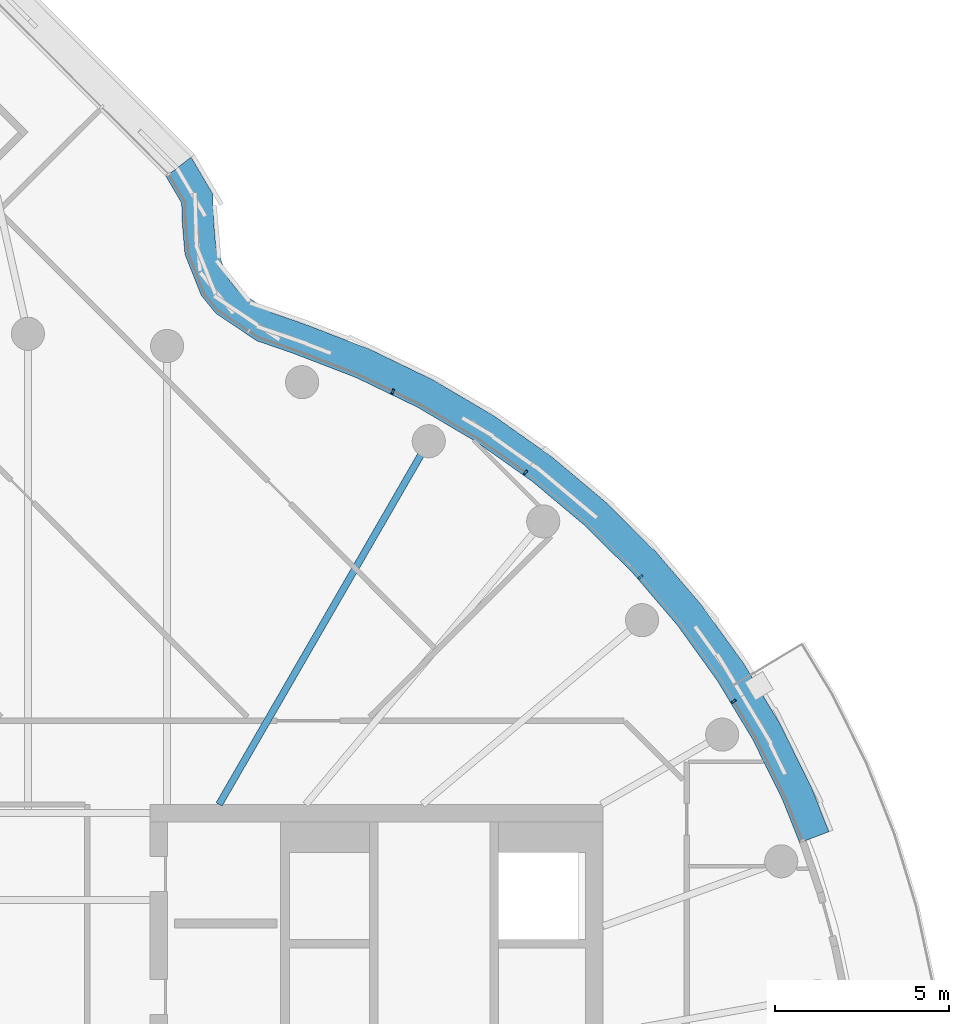
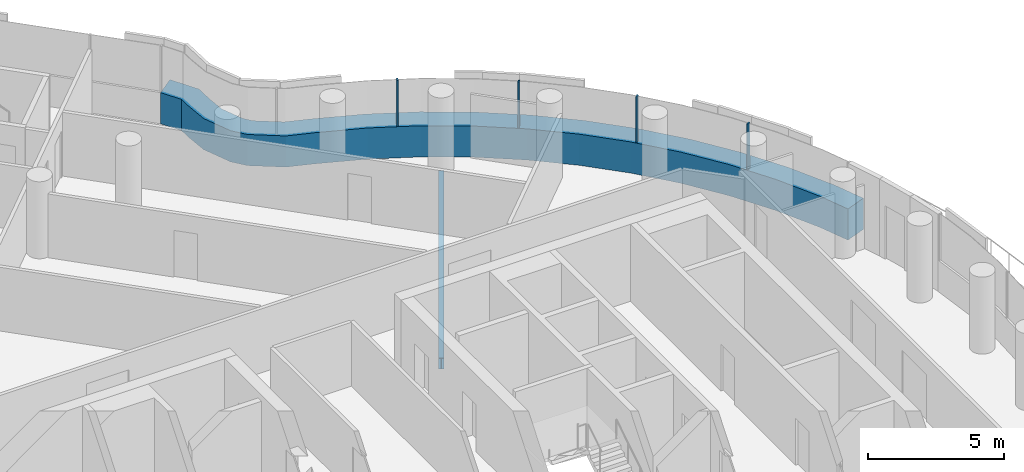
# One storey, part 12 of 31: 5 members, 1 beam, 1 element without a shape of its own.
"""IFC4 building model written with IfcOpenShell, lengths in metres."""

from ifc_helpers import new_model, si_unit, direction, frame, origin, origin_2d, place, context, subcontext, project, spatial, polyline, rectangle, i_section, outline, extrude, material, layer, layer_set, material_profile, profile_set, type_object, element, aggregate, save


model = new_model("IFC4")

# Units and contexts
model_context = context("Model", 3, precision=1e-05, world=origin(), true_north=direction((0.0, 1.0)))
body_context = subcontext(model_context, "Body", "Model", "MODEL_VIEW")
ifc_project = project(units=[si_unit("LENGTHUNIT", "METRE"), si_unit("AREAUNIT", "SQUARE_METRE"), si_unit("VOLUMEUNIT", "CUBIC_METRE"), si_unit("PLANEANGLEUNIT", "RADIAN"), si_unit("MASSUNIT", "GRAM", prefix="KILO")], contexts=[model_context])

# Site, building, storey
site_placement = place(None, origin())
site = spatial("IfcSite", under=ifc_project, at=site_placement, CompositionType="ELEMENT")
building_placement = place(site_placement, origin())
building = spatial("IfcBuilding", under=site, at=building_placement, Name="Tamarind Cross Interchange Tower", CompositionType="ELEMENT")
storey_placement = place(building_placement, frame((0.0, 0.0, 196.89990234375)))
storey = spatial("IfcBuildingStorey", under=building, at=storey_placement, Name="L49", CompositionType="ELEMENT", Elevation=196.89990234375)

# Beam
ifc_material_1 = material(Name="Steel Q355B", Category="steel")
ifc_material_profile_1 = material_profile(ifc_material_1, i_section(OverallWidth=0.198974609375, OverallDepth=0.49609375, WebThickness=0.009033203125, FlangeThickness=0.013916015625, FilletRadius=0.012939453125, at=origin_2d()), Name="HN 496x199x9x14")
ifc_profile_set_1 = profile_set([ifc_material_profile_1], Name="Steel Q355B")
beam_type = type_object("IfcBeamType", Name="Composite beam HN 496x199x9x14 Q355B", PredefinedType="BEAM", material=ifc_profile_set_1)
beam_placement = place(storey_placement, frame((11.5, 19.918701171875, -0.387939453125), z_axis=(-0.499993565836, -0.866029118519, 0.0), x_axis=(0.866029118519, -0.499993565836, 0.0)))
element("IfcBeam", 1, at=beam_placement, inside=storey, type_object=beam_type, Name="Beam HH06", PredefinedType="BEAM", context=body_context, shape_type="SweptSolid", body=[
    extrude(i_section(OverallWidth=0.198974609375, OverallDepth=0.49609375, WebThickness=0.009033203125, FlangeThickness=0.013916015625, FilletRadius=0.012939453125, at=origin_2d()), origin(), (0.0, 0.0, 1.0), 12.030517578125),
])

# Curtain wall, members
ifc_material_2 = material(Name="Aluminium 6063-T6", Category="aluminium")
ifc_layer = layer(ifc_material_2, 0.139892578125)
ifc_layer_set = layer_set([ifc_layer], Name="Aluminium 6063-T6")
curtain_wall_type = type_object("IfcCurtainWallType", Name="Hotel curtain wall, 4.5 m bays", PredefinedType="NOTDEFINED", material=ifc_layer_set)
curtain_wall_placement = place(storey_placement, origin())
curtain_wall = element("IfcCurtainWall", 2, at=curtain_wall_placement, inside=storey, type_object=curtain_wall_type, Name="CWS-L49-02", PredefinedType="NOTDEFINED")
ifc_material_3 = material(Name="Aluminium and insulated spandrel panel", Category="aluminium")
member_type_1 = type_object("IfcMemberType", Name="Floor-edge blade transom", PredefinedType="USERDEFINED", material=ifc_material_3)
member_1_placement = place(storey_placement, origin())
member_1 = element("IfcMember", 3, at=member_1_placement, type_object=member_type_1, Name="CWT-L49-02-1", ObjectType="TRANSOM", PredefinedType="USERDEFINED", context=body_context, shape_type="SweptSolid", body=[
    extrude(outline(polyline([(22.13916015625, 8.39599609375), (21.65869140625, 9.61181640625), (20.791015625, 11.367431640625), (19.78125, 13.045654296875), (18.636474609375, 14.634521484375), (17.3642578125, 16.12353515625), (15.973388671875, 17.50244140625), (14.4736328125, 18.76171875), (12.874755859375, 19.892822265625), (11.188232421875, 20.88818359375), (9.425048828125, 21.74072265625), (7.5908203125, 22.447265625), (6.5634765625, 22.80126953125), (5.392578125, 23.5859375), (4.971435546875, 24.107421875), (4.505126953125, 25.280517578125), (4.42578125, 26.212890625), (4.410400390625, 26.754150390625), (3.962890625, 27.51416015625), (4.6806640625, 28.069091796875), (5.3037109375, 27.01123046875), (5.32470703125, 26.263671875), (5.390625, 25.489501953125), (5.75732421875, 24.566650390625), (6.007080078125, 24.257568359375), (6.96728515625, 23.614013671875), (7.8994140625, 23.29296875), (9.783203125, 22.567138671875), (11.613525390625, 21.68212890625), (13.3642578125, 20.64892578125), (15.023681640625, 19.474853515625), (16.580810546875, 18.167724609375), (18.0244140625, 16.736572265625), (19.344970703125, 15.19091796875), (20.533203125, 13.54150390625), (21.581298828125, 11.799560546875), (22.482177734375, 9.97705078125), (22.980712890625, 8.71533203125), (22.13916015625, 8.39599609375)])), origin(), (0.0, 0.0, 1.0), 1.400146484375),
])
ifc_material_profile_2 = material_profile(ifc_material_2, rectangle(XDim=0.06005859375, YDim=0.139892578125, at=origin_2d()), Name="Mullion CW2")
ifc_profile_set_2 = profile_set([ifc_material_profile_2], Name="Aluminium 6063-T6")
member_type_2 = type_object("IfcMemberType", Name="Mullion CW2", PredefinedType="MULLION", material=ifc_profile_set_2)
member_2_placement = place(storey_placement, frame((20.2509765625, 12.458740234375, 1.400146484375), z_axis=(0.0, 0.0, 1.0), x_axis=(-0.515577308909, 0.856843065292, 0.0)))
member_2 = element("IfcMember", 4, at=member_2_placement, type_object=member_type_2, Name="CWM-L49-02-09", PredefinedType="MULLION", context=body_context, shape_type="SweptSolid", body=[
    extrude(rectangle(XDim=0.06005859375, YDim=0.139892578125, at=origin_2d()), origin(), (0.0, 0.0, 1.0), 2.06005859375),
])
member_3_placement = place(storey_placement, frame((17.57763671875, 16.02783203125, 1.400146484375), z_axis=(0.0, 0.0, 1.0), x_axis=(-0.64957723968, 0.760295606781, 0.0)))
member_3 = element("IfcMember", 5, at=member_3_placement, type_object=member_type_2, Name="CWM-L49-02-10", PredefinedType="MULLION", context=body_context, shape_type="SweptSolid", body=[
    extrude(rectangle(XDim=0.06005859375, YDim=0.139892578125, at=origin_2d()), origin(), (0.0, 0.0, 1.0), 2.06005859375),
])
member_4_placement = place(storey_placement, frame((14.275390625, 19.0244140625, 1.400146484375), z_axis=(0.0, 0.0, 1.0), x_axis=(-0.816341886298, 0.577568978284, 0.0)))
member_4 = element("IfcMember", 6, at=member_4_placement, type_object=member_type_2, Name="CWM-L49-02-11", PredefinedType="MULLION", context=body_context, shape_type="SweptSolid", body=[
    extrude(rectangle(XDim=0.06005859375, YDim=0.139892578125, at=origin_2d()), origin(), (0.0, 0.0, 1.0), 2.06005859375),
])
member_5_placement = place(storey_placement, frame((10.468994140625, 21.346923828125, 1.400146484375), z_axis=(0.0, 0.0, 1.0), x_axis=(-0.900272776334, 0.435326231914, 0.0)))
member_5 = element("IfcMember", 7, at=member_5_placement, type_object=member_type_2, Name="CWM-L49-02-12", PredefinedType="MULLION", context=body_context, shape_type="SweptSolid", body=[
    extrude(rectangle(XDim=0.06005859375, YDim=0.139892578125, at=origin_2d()), origin(), (0.0, 0.0, 1.0), 2.06005859375),
])
aggregate(curtain_wall, [member_2, member_3, member_4, member_5, member_1])

save(model, "model.ifc")
